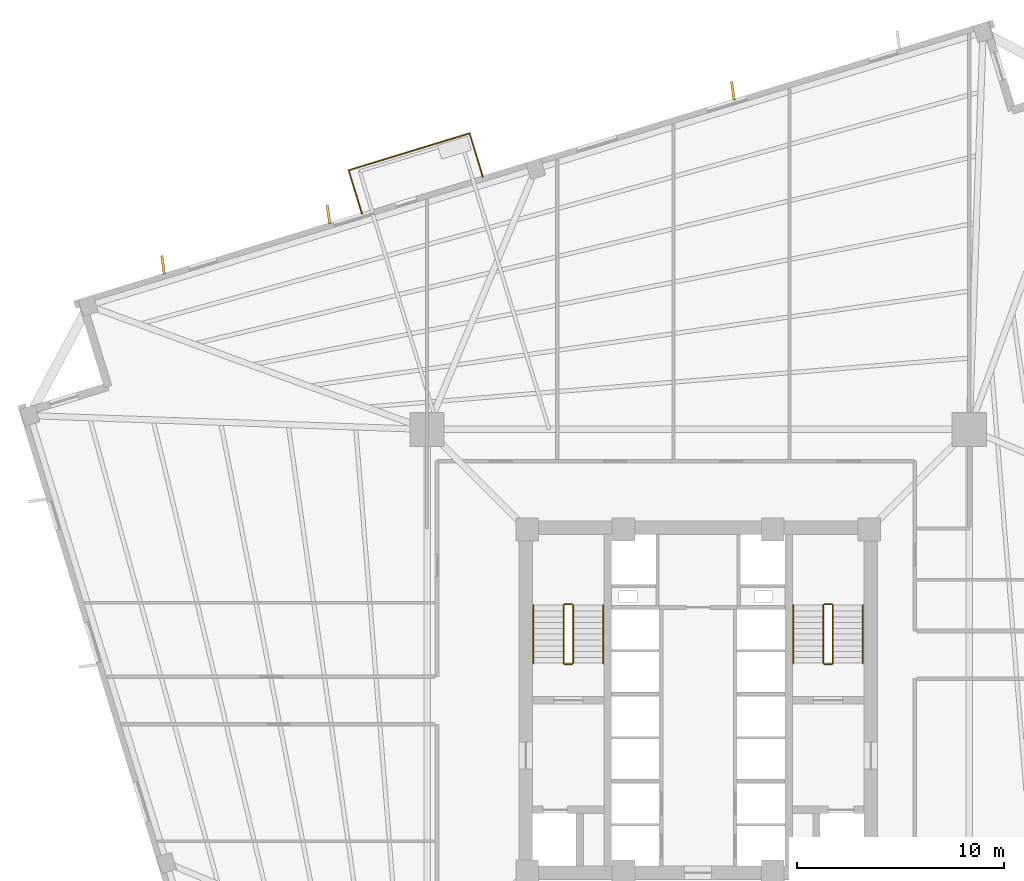
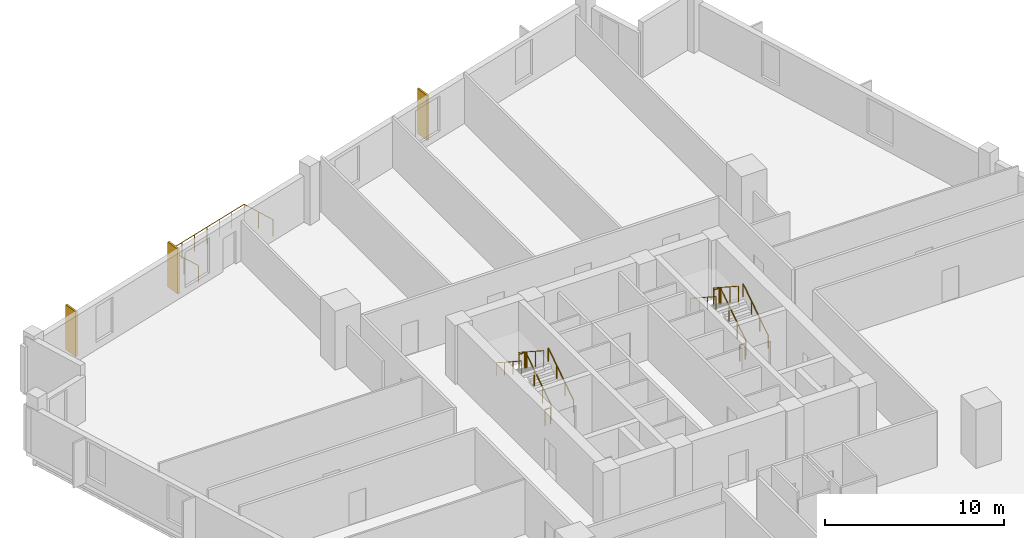
# One storey, part 7 of 8: 15 railings, 3 coverings.
"""IFC4 building model written with IfcOpenShell, lengths in metres."""

from ifc_helpers import new_model, si_unit, direction, frame, origin, origin_2d, place, context, subcontext, project, spatial, rectangle, circle, extrude, source, transform, mapped, material, layer, layer_set, type_object, element, save


model = new_model("IFC4")

# Units and contexts
model_context = context("Model", 3, precision=1e-05, world=origin(), true_north=direction((0.0, 1.0)))
body_context = subcontext(model_context, "Body", "Model", "MODEL_VIEW")
ifc_project = project(units=[si_unit("LENGTHUNIT", "METRE"), si_unit("AREAUNIT", "SQUARE_METRE"), si_unit("VOLUMEUNIT", "CUBIC_METRE"), si_unit("PLANEANGLEUNIT", "RADIAN"), si_unit("MASSUNIT", "GRAM", prefix="KILO"), si_unit("THERMODYNAMICTEMPERATUREUNIT", "KELVIN")], contexts=[model_context])

# Site, building, storey
site_placement = place(None, origin())
site = spatial("IfcSite", under=ifc_project, at=site_placement, CompositionType="ELEMENT")
building_placement = place(site_placement, origin())
building = spatial("IfcBuilding", under=site, at=building_placement, Name="Kosmvard Interchange Tower", CompositionType="ELEMENT")
storey_placement = place(building_placement, frame((0.0, 0.0, 87.199951171875)))
storey = spatial("IfcBuildingStorey", under=building, at=storey_placement, Name="L20", CompositionType="ELEMENT", Elevation=87.199951171875)

# Coverings
ifc_material_1 = material(Name="Architectural anodised aluminium", Category="aluminium")
ifc_layer = layer(ifc_material_1, 0.1201171875, Name="Architectural anodised aluminium")
ifc_layer_set = layer_set([ifc_layer], Name="Architectural anodised aluminium")
covering_type = type_object("IfcCoveringType", Name="Rotating Vertical Sun-Breaker Fin 900x120 Aluminium", PredefinedType="CLADDING", material=ifc_layer_set)
shared_shape_1 = source(origin(), body_context, "Body", "SweptSolid", [
    extrude(rectangle(XDim=0.89990234375, YDim=0.1201171875, at=origin_2d()), origin(), (0.0, 0.0, 1.0), 3.06005859375),
])
for number, where, z_axis, x_axis, name in (
    (1, (1.673583984375, 29.425048828125, 0.0400390625), (0.0, 0.0, 1.0), (-0.135023866942, 0.990842346368, 0.0), "L20 Rotating Vertical Sun-Breaker Fin 10"),
    (2, (-17.841796875, 23.45849609375, 0.0400390625), (0.0, 0.0, 1.0), (-0.135023866942, 0.990842346368, 0.0), "L20 Rotating Vertical Sun-Breaker Fin 11"),
    (3, (-25.825439453125, 21.017822265625, 0.0400390625), (0.0, 0.0, 1.0), (-0.135023866942, 0.990842346368, 0.0), "L20 Rotating Vertical Sun-Breaker Fin 12"),
):
    element("IfcCovering", number, at=place(storey_placement, frame(where, z_axis=z_axis, x_axis=x_axis)), inside=storey, type_object=covering_type, Name=name, PredefinedType="CLADDING", context=body_context, shape_type="MappedRepresentation", body=[
        mapped(shared_shape_1, transform((0.0, 0.0, 0.0), scale=1.0)),
    ])

# Railings
ifc_material_2 = material(Name="Steel S355", Category="steel")
railing_type_1 = type_object("IfcRailingType", Name="Observation & Balcony Glass-Infill Balustrade 1150", PredefinedType="BALUSTRADE", material=ifc_material_2)
shared_shape_2 = source(origin(), body_context, "Body", "SweptSolid", [
    extrude(circle(Radius=0.02392578125, at=origin_2d()), frame((0.0, 0.0, 1.1259765625), z_axis=(0.292291835236, -0.956329170869, 0.0), x_axis=(0.956329170869, 0.292291835236, 0.0)), (0.0, 0.0, 1.0), 2.2001953125),
    extrude(circle(Radius=0.02099609375, at=origin_2d()), origin(), (0.0, 0.0, 1.0), 1.101806640625),
    extrude(circle(Radius=0.02099609375, at=origin_2d()), frame((0.321533203125, -1.052001953125, 0.0)), (0.0, 0.0, 1.0), 1.101806640625),
    extrude(circle(Radius=0.02099609375, at=origin_2d()), frame((0.64306640625, -2.10400390625, 0.0)), (0.0, 0.0, 1.0), 1.101806640625),
])
railing_1_placement = place(storey_placement, frame((-16.86767578125, 25.58642578125, 0.0)))
element("IfcRailing", 4, at=railing_1_placement, inside=storey, type_object=railing_type_1, Name="L20 Outdoor Terrace Guard BAL-L20-NE-C", PredefinedType="BALUSTRADE", context=body_context, shape_type="MappedRepresentation", body=[
    mapped(shared_shape_2, transform((0.0, 0.0, 0.0), scale=1.0)),
])
shared_shape_3 = source(origin(), body_context, "Body", "SweptSolid", [
    extrude(circle(Radius=0.02392578125, at=origin_2d()), frame((0.0, 0.0, 1.1259765625), z_axis=(-0.292291835236, 0.956329170869, 0.0), x_axis=(-0.956329170869, -0.292291835236, 0.0)), (0.0, 0.0, 1.0), 2.2001953125),
    extrude(circle(Radius=0.02099609375, at=origin_2d()), origin(), (0.0, 0.0, 1.0), 1.101806640625),
    extrude(circle(Radius=0.02099609375, at=origin_2d()), frame((-0.321533203125, 1.052001953125, 0.0)), (0.0, 0.0, 1.0), 1.101806640625),
    extrude(circle(Radius=0.02099609375, at=origin_2d()), frame((-0.64306640625, 2.10400390625, 0.0)), (0.0, 0.0, 1.0), 1.101806640625),
])
railing_2_placement = place(storey_placement, frame((-10.39111328125, 25.265869140625, 0.0)))
element("IfcRailing", 5, at=railing_2_placement, inside=storey, type_object=railing_type_1, Name="L20 Outdoor Terrace Guard BAL-L20-NE-A", PredefinedType="BALUSTRADE", context=body_context, shape_type="MappedRepresentation", body=[
    mapped(shared_shape_3, transform((0.0, 0.0, 0.0), scale=1.0)),
])
shared_shape_4 = source(origin(), body_context, "Body", "SweptSolid", [
    extrude(circle(Radius=0.02392578125, at=origin_2d()), frame((0.0, 0.0, 1.1259765625), z_axis=(-0.956306198406, -0.292366986664, 0.0), x_axis=(0.292366986664, -0.956306198406, 0.0)), (0.0, 0.0, 1.0), 6.10009765625),
    extrude(circle(Radius=0.02099609375, at=origin_2d()), origin(), (0.0, 0.0, 1.0), 1.101806640625),
    extrude(circle(Radius=0.02099609375, at=origin_2d()), frame((-0.97216796875, -0.29736328125, 0.0)), (0.0, 0.0, 1.0), 1.101806640625),
    extrude(circle(Radius=0.02099609375, at=origin_2d()), frame((-1.944580078125, -0.594482421875, 0.0)), (0.0, 0.0, 1.0), 1.101806640625),
    extrude(circle(Radius=0.02099609375, at=origin_2d()), frame((-2.916748046875, -0.8916015625, 0.0)), (0.0, 0.0, 1.0), 1.101806640625),
    extrude(circle(Radius=0.02099609375, at=origin_2d()), frame((-3.888916015625, -1.18896484375, 0.0)), (0.0, 0.0, 1.0), 1.101806640625),
    extrude(circle(Radius=0.02099609375, at=origin_2d()), frame((-4.861328125, -1.486328125, 0.0)), (0.0, 0.0, 1.0), 1.101806640625),
    extrude(circle(Radius=0.02099609375, at=origin_2d()), frame((-5.83349609375, -1.783447265625, 0.0)), (0.0, 0.0, 1.0), 1.101806640625),
])
railing_3_placement = place(storey_placement, frame((-11.0341796875, 27.369873046875, 0.0)))
element("IfcRailing", 6, at=railing_3_placement, inside=storey, type_object=railing_type_1, Name="L20 Outdoor Terrace Guard BAL-L20-NE-B", PredefinedType="BALUSTRADE", context=body_context, shape_type="MappedRepresentation", body=[
    mapped(shared_shape_4, transform((0.0, 0.0, 0.0), scale=1.0)),
])
railing_type_2 = type_object("IfcRailingType", Name="Stair & Terrace Safety Guardrail 1100 Steel", PredefinedType="GUARDRAIL", material=ifc_material_2)
shared_shape_5 = source(origin(), body_context, "Body", "SweptSolid", [
    extrude(circle(Radius=0.02392578125, at=origin_2d()), frame((0.0, 0.0, 1.076171875), z_axis=(-1.0, 0.0, 0.0), x_axis=(0.0, -1.0, 0.0)), (0.0, 0.0, 1.0), 0.35986328125),
    extrude(circle(Radius=0.02099609375, at=origin_2d()), origin(), (0.0, 0.0, 1.0), 1.052001953125),
    extrude(circle(Radius=0.02099609375, at=origin_2d()), frame((-0.35986328125, 0.0, 0.0)), (0.0, 0.0, 1.0), 1.052001953125),
])
for number, where, name in (
    (7, (-6.090087890625, 4.64990234375, 2.0), "L20 ST-1 stair guard 2"),
    (8, (-6.090087890625, 1.75, 0.0), "L20 ST-1 stair guard 4"),
    (9, (6.449951171875, 4.64990234375, 2.0), "L20 ST-2 stair guard 2"),
    (10, (6.449951171875, 1.75, 0.0), "L20 ST-2 stair guard 4"),
):
    element("IfcRailing", number, at=place(storey_placement, frame(where)), inside=storey, type_object=railing_type_2, Name=name, PredefinedType="GUARDRAIL", context=body_context, shape_type="MappedRepresentation", body=[
        mapped(shared_shape_5, transform((0.0, 0.0, 0.0), scale=1.0)),
    ])
shared_shape_6 = source(origin(), body_context, "Body", "SweptSolid", [
    extrude(circle(Radius=0.02392578125, at=origin_2d()), frame((0.0, 0.0, 1.076171875), z_axis=(0.0, 0.838705829183, 0.544584733623), x_axis=(-1.0, 0.0, 0.0)), (0.0, 0.0, 1.0), 3.338623046875),
    extrude(circle(Radius=0.02099609375, at=origin_2d()), origin(), (0.0, 0.0, 1.0), 1.052001953125),
    extrude(circle(Radius=0.02099609375, at=origin_2d()), frame((0.0, 0.933349609375, 0.60595703125)), (0.0, 0.0, 1.0), 1.052001953125),
    extrude(circle(Radius=0.02099609375, at=origin_2d()), frame((0.0, 1.86669921875, 1.212158203125)), (0.0, 0.0, 1.0), 1.052001953125),
    extrude(circle(Radius=0.02099609375, at=origin_2d()), frame((0.0, 2.800048828125, 1.818115234375)), (0.0, 0.0, 1.0), 1.052001953125),
])
for number, where, name in (
    (11, (-6.0400390625, 1.800048828125, 0.181884765625), "L20 ST-1 stair guard 1"),
    (12, (6.5, 1.800048828125, 0.181884765625), "L20 ST-2 stair guard 1"),
):
    element("IfcRailing", number, at=place(storey_placement, frame(where)), inside=storey, type_object=railing_type_2, Name=name, PredefinedType="GUARDRAIL", context=body_context, shape_type="MappedRepresentation", body=[
        mapped(shared_shape_6, transform((0.0, 0.0, 0.0), scale=1.0)),
    ])
shared_shape_7 = source(origin(), body_context, "Body", "SweptSolid", [
    extrude(circle(Radius=0.02392578125, at=origin_2d()), frame((0.0, 0.0, 1.076171875), z_axis=(0.0, -0.838705829183, 0.544584733623), x_axis=(1.0, 0.0, 0.0)), (0.0, 0.0, 1.0), 3.338623046875),
    extrude(circle(Radius=0.02099609375, at=origin_2d()), origin(), (0.0, 0.0, 1.0), 1.052001953125),
    extrude(circle(Radius=0.02099609375, at=origin_2d()), frame((0.0, -0.933349609375, 0.60595703125)), (0.0, 0.0, 1.0), 1.052001953125),
    extrude(circle(Radius=0.02099609375, at=origin_2d()), frame((0.0, -1.86669921875, 1.212158203125)), (0.0, 0.0, 1.0), 1.052001953125),
    extrude(circle(Radius=0.02099609375, at=origin_2d()), frame((0.0, -2.800048828125, 1.818115234375)), (0.0, 0.0, 1.0), 1.052001953125),
])
for number, where, name in (
    (13, (-6.5, 4.60009765625, 2.181884765625), "L20 ST-1 stair guard 3"),
    (14, (6.0400390625, 4.60009765625, 2.181884765625), "L20 ST-2 stair guard 3"),
):
    element("IfcRailing", number, at=place(storey_placement, frame(where)), inside=storey, type_object=railing_type_2, Name=name, PredefinedType="GUARDRAIL", context=body_context, shape_type="MappedRepresentation", body=[
        mapped(shared_shape_7, transform((0.0, 0.0, 0.0), scale=1.0)),
    ])
railing_type_3 = type_object("IfcRailingType", Name="Wall-Mounted Stair Handrail 900 Steel", PredefinedType="HANDRAIL", material=ifc_material_2)
shared_shape_8 = source(origin(), body_context, "Body", "SweptSolid", [
    extrude(circle(Radius=0.02392578125, at=origin_2d()), frame((0.0, 0.0, 0.8759765625), z_axis=(0.0, 0.838705829183, 0.544584733623), x_axis=(-1.0, 0.0, 0.0)), (0.0, 0.0, 1.0), 3.338623046875),
    extrude(circle(Radius=0.02099609375, at=origin_2d()), origin(), (0.0, 0.0, 1.0), 0.851806640625),
    extrude(circle(Radius=0.02099609375, at=origin_2d()), frame((0.0, 0.933349609375, 0.60595703125)), (0.0, 0.0, 1.0), 0.851806640625),
    extrude(circle(Radius=0.02099609375, at=origin_2d()), frame((0.0, 1.86669921875, 1.212158203125)), (0.0, 0.0, 1.0), 0.851806640625),
    extrude(circle(Radius=0.02099609375, at=origin_2d()), frame((0.0, 2.800048828125, 1.818115234375)), (0.0, 0.0, 1.0), 0.851806640625),
])
for number, where, name in (
    (15, (-4.590087890625, 1.800048828125, 0.181884765625), "L20 ST-1 stair handrail 1"),
    (16, (7.949951171875, 1.800048828125, 0.181884765625), "L20 ST-2 stair handrail 1"),
):
    element("IfcRailing", number, at=place(storey_placement, frame(where)), inside=storey, type_object=railing_type_3, Name=name, PredefinedType="HANDRAIL", context=body_context, shape_type="MappedRepresentation", body=[
        mapped(shared_shape_8, transform((0.0, 0.0, 0.0), scale=1.0)),
    ])
shared_shape_9 = source(origin(), body_context, "Body", "SweptSolid", [
    extrude(circle(Radius=0.02392578125, at=origin_2d()), frame((0.0, 0.0, 0.8759765625), z_axis=(0.0, -0.838705829183, 0.544584733623), x_axis=(1.0, 0.0, 0.0)), (0.0, 0.0, 1.0), 3.338623046875),
    extrude(circle(Radius=0.02099609375, at=origin_2d()), origin(), (0.0, 0.0, 1.0), 0.851806640625),
    extrude(circle(Radius=0.02099609375, at=origin_2d()), frame((0.0, -0.933349609375, 0.60595703125)), (0.0, 0.0, 1.0), 0.851806640625),
    extrude(circle(Radius=0.02099609375, at=origin_2d()), frame((0.0, -1.86669921875, 1.212158203125)), (0.0, 0.0, 1.0), 0.851806640625),
    extrude(circle(Radius=0.02099609375, at=origin_2d()), frame((0.0, -2.800048828125, 1.818115234375)), (0.0, 0.0, 1.0), 0.851806640625),
])
for number, where, name in (
    (17, (-7.949951171875, 4.60009765625, 2.181884765625), "L20 ST-1 stair handrail 2"),
    (18, (4.590087890625, 4.60009765625, 2.181884765625), "L20 ST-2 stair handrail 2"),
):
    element("IfcRailing", number, at=place(storey_placement, frame(where)), inside=storey, type_object=railing_type_3, Name=name, PredefinedType="HANDRAIL", context=body_context, shape_type="MappedRepresentation", body=[
        mapped(shared_shape_9, transform((0.0, 0.0, 0.0), scale=1.0)),
    ])

save(model, "model.ifc")
